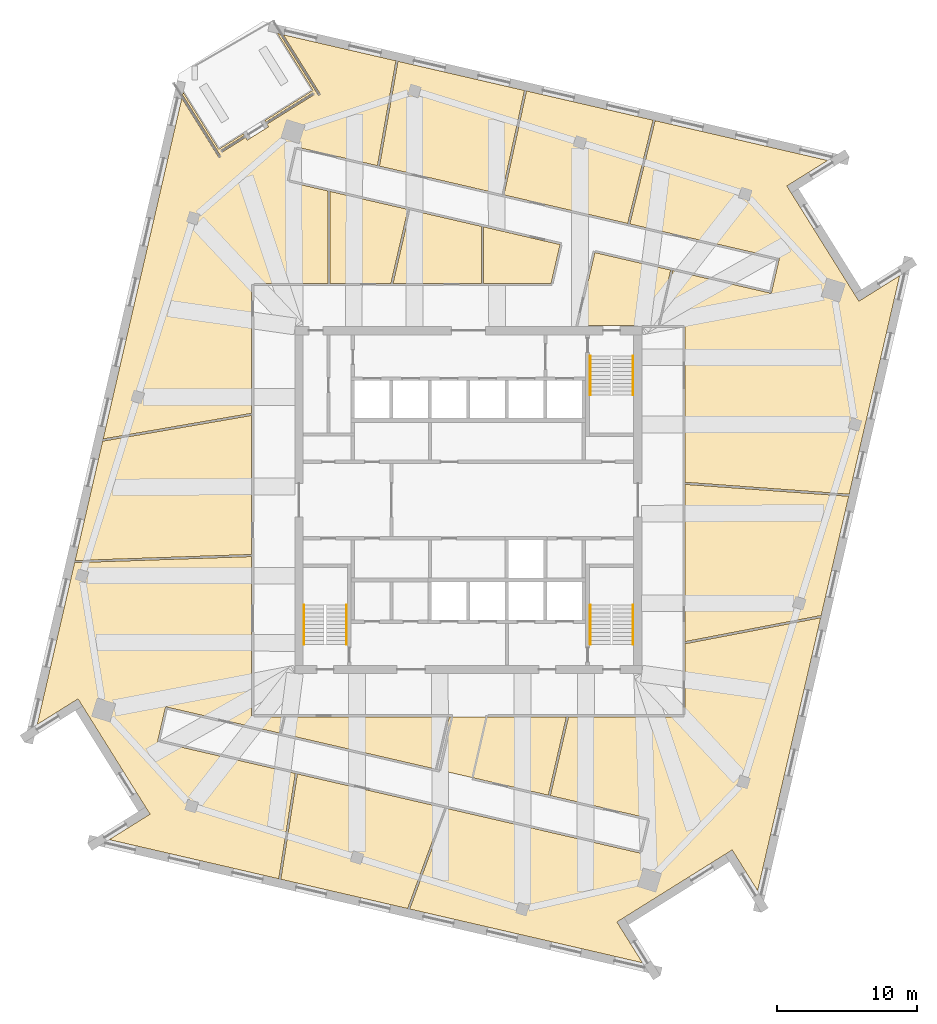
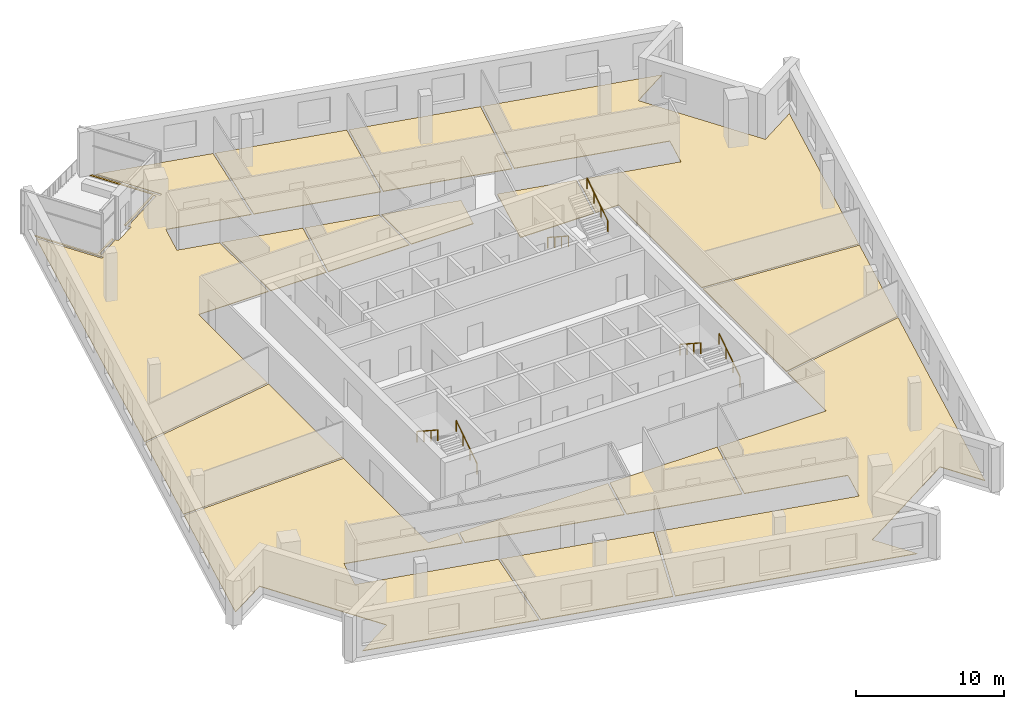
# One storey, part 12 of 14: 15 coverings, 6 railings.
"""IFC4 building model written with IfcOpenShell, lengths in metres."""

from ifc_helpers import new_model, si_unit, direction, frame, origin, origin_2d, place, context, subcontext, project, spatial, polyline, circle, outline, extrude, material, layer, layer_set, type_object, element, save


model = new_model("IFC4")

# Units and contexts
model_context = context("Model", 3, precision=1e-05, world=origin(), true_north=direction((0.0, 1.0)))
body_context = subcontext(model_context, "Body", "Model", "MODEL_VIEW")
ifc_project = project(units=[si_unit("LENGTHUNIT", "METRE"), si_unit("AREAUNIT", "SQUARE_METRE"), si_unit("VOLUMEUNIT", "CUBIC_METRE"), si_unit("PLANEANGLEUNIT", "RADIAN"), si_unit("MASSUNIT", "GRAM", prefix="KILO")], contexts=[model_context])

# Site, building, storey
site_placement = place(None, origin())
site = spatial("IfcSite", under=ifc_project, at=site_placement, CompositionType="ELEMENT")
building_placement = place(site_placement, origin())
building = spatial("IfcBuilding", under=site, at=building_placement, Name="Dilmun Exchange Tower", CompositionType="ELEMENT")
storey_placement = place(building_placement, frame((0.0, 0.0, 336.5)))
storey = spatial("IfcBuildingStorey", under=building, at=storey_placement, Name="L80", CompositionType="ELEMENT", Elevation=336.5)

# Coverings
ifc_material_1 = material(Name="Carpet floor finish 50")
ifc_layer_1 = layer(ifc_material_1, 0.050048828125)
ifc_layer_set_1 = layer_set([ifc_layer_1], Name="Carpet floor finish 50")
covering_type_1 = type_object("IfcCoveringType", Name="Carpet floor finish 50", PredefinedType="FLOORING", material=ifc_layer_set_1)
covering_1_placement = place(storey_placement, origin())
element("IfcCovering", 1, at=covering_1_placement, inside=storey, type_object=covering_type_1, Name="Carpet floor finish 50 Garden lounge", PredefinedType="FLOORING", context=body_context, shape_type="SweptSolid", body=[
    extrude(outline(polyline([(-17.828369140625, 25.053955078125), (-16.07958984375, 26.146728515625), (-16.00390625, 26.025390625), (-17.689208984375, 24.972412109375), (-17.689208984375, 24.972412109375), (-17.689453125, 24.97216796875), (-17.689453125, 24.97216796875), (-17.689697265625, 24.971923828125), (-17.689697265625, 24.9716796875), (-17.689697265625, 24.9716796875), (-17.68994140625, 24.971435546875), (-17.68994140625, 24.97119140625), (-17.68994140625, 24.970947265625), (-17.68994140625, 24.970703125), (-17.68994140625, 24.970703125), (-17.68994140625, 24.970458984375), (-17.68994140625, 24.97021484375), (-17.68994140625, 24.969970703125), (-17.689697265625, 24.969970703125), (-17.689697265625, 24.9697265625), (-17.60498046875, 24.833984375), (-17.604736328125, 24.833740234375), (-17.604736328125, 24.833740234375), (-17.6044921875, 24.83349609375), (-17.6044921875, 24.83349609375), (-17.604248046875, 24.833251953125), (-17.60400390625, 24.833251953125), (-17.603759765625, 24.833251953125), (-17.603759765625, 24.8330078125), (-17.603515625, 24.8330078125), (-17.603271484375, 24.8330078125), (-17.60302734375, 24.8330078125), (-17.602783203125, 24.8330078125), (-17.602783203125, 24.8330078125), (-17.6025390625, 24.833251953125), (-17.602294921875, 24.833251953125), (-17.60205078125, 24.83349609375), (-15.9169921875, 25.88623046875), (-15.801513671875, 25.701416015625), (-15.80126953125, 25.701416015625), (-15.80126953125, 25.701171875), (-15.801025390625, 25.700927734375), (-15.80078125, 25.700927734375), (-15.80078125, 25.70068359375), (-15.800537109375, 25.70068359375), (-15.80029296875, 25.70068359375), (-15.80029296875, 25.700439453125), (-15.800048828125, 25.700439453125), (-15.7998046875, 25.700439453125), (-15.799560546875, 25.700439453125), (-15.79931640625, 25.700439453125), (-15.79931640625, 25.70068359375), (-15.799072265625, 25.70068359375), (-15.798828125, 25.70068359375), (-15.798583984375, 25.70068359375), (-14.272216796875, 26.65478515625), (-14.27197265625, 26.65478515625), (-14.271728515625, 26.65478515625), (-14.271728515625, 26.655029296875), (-14.271484375, 26.6552734375), (-14.271484375, 26.655517578125), (-14.271484375, 26.655517578125), (-14.271240234375, 26.65576171875), (-14.271240234375, 26.656005859375), (-14.271240234375, 26.656005859375), (-14.271240234375, 26.65625), (-14.271240234375, 26.656494140625), (-14.271240234375, 26.65673828125), (-14.271240234375, 26.656982421875), (-14.271240234375, 26.656982421875), (-14.271484375, 26.6572265625), (-14.271484375, 26.657470703125), (-14.386962890625, 26.84228515625), (-11.005859375, 28.955078125), (-11.005615234375, 28.955322265625), (-11.005615234375, 28.955322265625), (-11.00537109375, 28.95556640625), (-11.00537109375, 28.955810546875), (-11.005126953125, 28.955810546875), (-11.005126953125, 28.9560546875), (-11.0048828125, 28.956298828125), (-11.0048828125, 28.956298828125), (-11.0048828125, 28.95654296875), (-11.0048828125, 28.956787109375), (-11.0048828125, 28.95703125), (-11.0048828125, 28.957275390625), (-11.0048828125, 28.95751953125), (-11.0048828125, 28.95751953125), (-11.005126953125, 28.957763671875), (-11.005126953125, 28.9580078125), (-11.090087890625, 29.093505859375), (-11.090087890625, 29.09375), (-11.090087890625, 29.093994140625), (-11.09033203125, 29.093994140625), (-11.090576171875, 29.09423828125), (-11.0908203125, 29.09423828125), (-11.0908203125, 29.094482421875), (-11.091064453125, 29.094482421875), (-11.09130859375, 29.094482421875), (-11.09130859375, 29.094482421875), (-11.091552734375, 29.094482421875), (-11.091796875, 29.094482421875), (-11.092041015625, 29.094482421875), (-11.09228515625, 29.094482421875), (-11.09228515625, 29.094482421875), (-11.092529296875, 29.09423828125), (-11.0927734375, 29.09423828125), (-14.47412109375, 26.9814453125), (-14.5498046875, 27.102783203125), (-11.10498046875, 29.255126953125), (-13.64599609375, 33.32177734375), (-13.448974609375, 33.276123046875), (-10.705322265625, 28.8857421875), (-10.705322265625, 28.885498046875), (-10.705078125, 28.885498046875), (-10.705078125, 28.88525390625), (-10.704833984375, 28.88525390625), (-10.70458984375, 28.885009765625), (-10.70458984375, 28.885009765625), (-10.704345703125, 28.885009765625), (-10.7041015625, 28.885009765625), (-10.7041015625, 28.884765625), (-10.703857421875, 28.884765625), (-10.70361328125, 28.884765625), (-10.703369140625, 28.884765625), (-10.703125, 28.885009765625), (-10.702880859375, 28.885009765625), (-10.702880859375, 28.885009765625), (-10.70263671875, 28.885009765625), (-10.56689453125, 28.969970703125), (-10.56689453125, 28.969970703125), (-10.566650390625, 28.97021484375), (-10.56640625, 28.97021484375), (-10.56640625, 28.970458984375), (-10.56640625, 28.970703125), (-10.566162109375, 28.970703125), (-10.566162109375, 28.970947265625), (-10.566162109375, 28.97119140625), (-10.566162109375, 28.97119140625), (-10.566162109375, 28.971435546875), (-10.566162109375, 28.9716796875), (-10.566162109375, 28.971923828125), (-10.566162109375, 28.97216796875), (-10.566162109375, 28.972412109375), (-10.56640625, 28.972412109375), (-10.56640625, 28.97265625), (-13.222900390625, 33.22412109375), (-5.1787109375, 31.366943359375), (-6.4990234375, 23.875244140625), (-12.391357421875, 25.235595703125), (-12.96484375, 22.7509765625), (-10.03466796875, 22.074462890625), (-10.03466796875, 15.47509765625), (-15.47509765625, 15.47509765625), (-15.47509765625, 6.197021484375), (-26.0849609375, 4.36376953125), (-20.467041015625, 28.697509765625), (-17.810546875, 24.446044921875), (-17.810302734375, 24.44580078125), (-17.810302734375, 24.44580078125), (-17.810302734375, 24.445556640625), (-17.81005859375, 24.445556640625), (-17.809814453125, 24.4453125), (-17.809814453125, 24.4453125), (-17.8095703125, 24.4453125), (-17.809326171875, 24.4453125), (-17.80908203125, 24.445068359375), (-17.808837890625, 24.445068359375), (-17.80859375, 24.445068359375), (-17.80859375, 24.445068359375), (-17.808349609375, 24.4453125), (-17.80810546875, 24.4453125), (-17.80810546875, 24.4453125), (-17.807861328125, 24.4453125), (-17.672119140625, 24.5302734375), (-17.671875, 24.5302734375), (-17.671875, 24.530517578125), (-17.671630859375, 24.530517578125), (-17.67138671875, 24.53076171875), (-17.67138671875, 24.531005859375), (-17.67138671875, 24.531005859375), (-17.67138671875, 24.53125), (-17.671142578125, 24.531494140625), (-17.671142578125, 24.531494140625), (-17.671142578125, 24.53173828125), (-17.671142578125, 24.531982421875), (-17.671142578125, 24.5322265625), (-17.671142578125, 24.532470703125), (-17.67138671875, 24.53271484375), (-17.67138671875, 24.53271484375), (-17.67138671875, 24.532958984375), (-20.414794921875, 28.92333984375), (-20.369384765625, 29.120361328125), (-17.828369140625, 25.053955078125)])), origin(), (0.0, 0.0, 1.0), 0.050048828125),
])
covering_2_placement = place(storey_placement, origin())
element("IfcCovering", 2, at=covering_2_placement, inside=storey, type_object=covering_type_1, Name="Carpet floor finish 50 Headquarters office 1", PredefinedType="FLOORING", context=body_context, shape_type="SweptSolid", body=[
    extrude(outline(polyline([(-12.215576171875, -19.5546875), (-1.699951171875, -21.982421875), (-4.341796875, -29.1689453125), (-13.39794921875, -27.078125), (-12.215576171875, -19.5546875)])), origin(), (0.0, 0.0, 1.0), 0.050048828125),
])
covering_3_placement = place(storey_placement, origin())
element("IfcCovering", 3, at=covering_3_placement, inside=storey, type_object=covering_type_1, Name="Carpet floor finish 50 Prayer room", PredefinedType="FLOORING", context=body_context, shape_type="SweptSolid", body=[
    extrude(outline(polyline([(-5.537841796875, 15.47509765625), (-9.884765625, 15.47509765625), (-9.884765625, 22.039794921875), (-4.319091796875, 20.7548828125), (-5.537841796875, 15.47509765625)])), origin(), (0.0, 0.0, 1.0), 0.050048828125),
])
covering_4_placement = place(storey_placement, origin())
element("IfcCovering", 4, at=covering_4_placement, inside=storey, type_object=covering_type_1, Name="Carpet floor finish 50 Executive office", PredefinedType="FLOORING", context=body_context, shape_type="SweptSolid", body=[
    extrude(outline(polyline([(-13.335205078125, -16.67919921875), (-13.05712890625, -15.47509765625), (-1.514404296875, -15.47509765625), (-2.37646484375, -19.208984375), (-13.335205078125, -16.67919921875)])), origin(), (0.0, 0.0, 1.0), 0.050048828125),
])
covering_5_placement = place(storey_placement, origin())
element("IfcCovering", 5, at=covering_5_placement, inside=storey, type_object=covering_type_1, Name="Carpet floor finish 50 Break-out lounge 1", PredefinedType="FLOORING", context=body_context, shape_type="SweptSolid", body=[
    extrude(outline(polyline([(0.91552734375, 15.47509765625), (-5.384033203125, 15.47509765625), (-4.1728515625, 20.72119140625), (0.91552734375, 19.54638671875), (0.91552734375, 15.47509765625)])), origin(), (0.0, 0.0, 1.0), 0.050048828125),
])
covering_6_placement = place(storey_placement, origin())
element("IfcCovering", 6, at=covering_6_placement, inside=storey, type_object=covering_type_1, Name="Carpet floor finish 50 Break-out lounge 2", PredefinedType="FLOORING", context=body_context, shape_type="SweptSolid", body=[
    extrude(outline(polyline([(-2.23046875, -19.242919921875), (-1.360595703125, -15.47509765625), (6.99560546875, -15.47509765625), (5.702880859375, -21.074462890625), (-2.23046875, -19.242919921875)])), origin(), (0.0, 0.0, 1.0), 0.050048828125),
])
covering_7_placement = place(storey_placement, origin())
element("IfcCovering", 7, at=covering_7_placement, inside=storey, type_object=covering_type_1, Name="Carpet floor finish 50 Headquarters office 2", PredefinedType="FLOORING", context=body_context, shape_type="SweptSolid", body=[
    extrude(outline(polyline([(-1.552490234375, -22.016357421875), (12.391357421875, -25.235595703125), (12.96484375, -22.7509765625), (5.84912109375, -21.108154296875), (7.149658203125, -15.47509765625), (15.47509765625, -15.47509765625), (15.47509765625, -10.25927734375), (25.15283203125, -8.40087890625), (20.65185546875, -27.89697265625), (18.8330078125, -24.986328125), (18.8330078125, -24.986083984375), (18.8330078125, -24.986083984375), (18.832763671875, -24.98583984375), (18.83251953125, -24.985595703125), (18.83251953125, -24.985595703125), (18.832275390625, -24.985595703125), (18.83203125, -24.9853515625), (18.831787109375, -24.9853515625), (18.831787109375, -24.9853515625), (18.83154296875, -24.9853515625), (18.831298828125, -24.9853515625), (18.8310546875, -24.9853515625), (18.830810546875, -24.9853515625), (18.830810546875, -24.985595703125), (18.83056640625, -24.985595703125), (18.830322265625, -24.985595703125), (18.32177734375, -25.303466796875), (18.321533203125, -25.303466796875), (18.321533203125, -25.3037109375), (11.113525390625, -29.8076171875), (11.11328125, -29.8076171875), (11.11328125, -29.8076171875), (11.113037109375, -29.807861328125), (10.604248046875, -30.125732421875), (10.60400390625, -30.1259765625), (10.60400390625, -30.1259765625), (10.603759765625, -30.126220703125), (10.603759765625, -30.126220703125), (10.603515625, -30.12646484375), (10.603515625, -30.126708984375), (10.603515625, -30.126708984375), (10.603271484375, -30.126953125), (10.603271484375, -30.127197265625), (10.603271484375, -30.12744140625), (10.603271484375, -30.127685546875), (10.603271484375, -30.127685546875), (10.603515625, -30.1279296875), (10.603515625, -30.128173828125), (10.603515625, -30.12841796875), (10.603515625, -30.12841796875), (12.42236328125, -33.039306640625), (-4.1943359375, -29.202880859375), (-1.552490234375, -22.016357421875)])), origin(), (0.0, 0.0, 1.0), 0.050048828125),
])
covering_8_placement = place(storey_placement, origin())
element("IfcCovering", 8, at=covering_8_placement, inside=storey, type_object=covering_type_1, Name="Carpet floor finish 50 Headquarters office 3", PredefinedType="FLOORING", context=body_context, shape_type="SweptSolid", body=[
    extrude(outline(polyline([(15.47509765625, 1.26953125), (15.47509765625, 12.47509765625), (13.685791015625, 12.47509765625), (14.589599609375, 16.389404296875), (21.626220703125, 14.764892578125), (22.19970703125, 17.24951171875), (11.518310546875, 19.715576171875), (13.32958984375, 27.093994140625), (25.648681640625, 24.25), (22.738037109375, 22.430908203125), (22.73779296875, 22.430908203125), (22.73779296875, 22.430908203125), (22.737548828125, 22.4306640625), (22.7373046875, 22.430419921875), (22.7373046875, 22.430419921875), (22.7373046875, 22.43017578125), (22.737060546875, 22.429931640625), (22.737060546875, 22.4296875), (22.737060546875, 22.4296875), (22.737060546875, 22.429443359375), (22.737060546875, 22.42919921875), (22.737060546875, 22.428955078125), (22.737060546875, 22.4287109375), (22.7373046875, 22.4287109375), (22.7373046875, 22.428466796875), (22.7373046875, 22.42822265625), (23.055419921875, 21.91943359375), (23.055419921875, 21.919189453125), (23.055419921875, 21.919189453125), (27.5595703125, 14.711181640625), (27.559814453125, 14.7109375), (27.559814453125, 14.710693359375), (27.877685546875, 14.2021484375), (27.877685546875, 14.2021484375), (27.877685546875, 14.201904296875), (27.8779296875, 14.201904296875), (27.878173828125, 14.20166015625), (27.87841796875, 14.201416015625), (27.87841796875, 14.201416015625), (27.878662109375, 14.201416015625), (27.87890625, 14.201416015625), (27.87890625, 14.201416015625), (27.879150390625, 14.201416015625), (27.87939453125, 14.201416015625), (27.879638671875, 14.201416015625), (27.8798828125, 14.201416015625), (27.8798828125, 14.201416015625), (27.880126953125, 14.201416015625), (27.88037109375, 14.20166015625), (30.791015625, 16.020263671875), (27.189208984375, 0.418701171875), (15.47509765625, 1.26953125)])), origin(), (0.0, 0.0, 1.0), 0.050048828125),
])
ifc_material_2 = material(Name="Rubber floor finish 50")
ifc_layer_2 = layer(ifc_material_2, 0.050048828125)
ifc_layer_set_2 = layer_set([ifc_layer_2], Name="Rubber floor finish 50")
covering_type_2 = type_object("IfcCoveringType", Name="Rubber floor finish 50", PredefinedType="FLOORING", material=ifc_layer_set_2)
covering_9_placement = place(storey_placement, origin())
element("IfcCovering", 9, at=covering_9_placement, inside=storey, type_object=covering_type_2, Name="Rubber floor finish 50 Fitness room 1", PredefinedType="FLOORING", context=body_context, shape_type="SweptSolid", body=[
    extrude(outline(polyline([(-15.47509765625, 6.044921875), (-15.47509765625, -3.885498046875), (-28.089599609375, -4.31884765625), (-26.12158203125, 4.205322265625), (-15.47509765625, 6.044921875)])), origin(), (0.0, 0.0, 1.0), 0.050048828125),
])
covering_10_placement = place(storey_placement, origin())
element("IfcCovering", 10, at=covering_10_placement, inside=storey, type_object=covering_type_2, Name="Rubber floor finish 50 Fitness room 2", PredefinedType="FLOORING", context=body_context, shape_type="SweptSolid", body=[
    extrude(outline(polyline([(2.388671875, 21.8232421875), (-6.352783203125, 23.841552734375), (-5.0322265625, 31.3330078125), (3.9990234375, 29.248046875), (2.388671875, 21.8232421875)])), origin(), (0.0, 0.0, 1.0), 0.050048828125),
])
covering_11_placement = place(storey_placement, origin())
element("IfcCovering", 11, at=covering_11_placement, inside=storey, type_object=covering_type_2, Name="Rubber floor finish 50 Fitness room 3", PredefinedType="FLOORING", context=body_context, shape_type="SweptSolid", body=[
    extrude(outline(polyline([(15.47509765625, -10.1064453125), (15.47509765625, 1.119140625), (27.15478515625, 0.27099609375), (25.189697265625, -8.2412109375), (15.47509765625, -10.1064453125)])), origin(), (0.0, 0.0, 1.0), 0.050048828125),
])

# Railings
ifc_material_3 = material(Name="Stainless steel", Category="steel")
railing_type = type_object("IfcRailingType", Name="Stair handrail 900", PredefinedType="HANDRAIL", material=ifc_material_3)
railing_1_placement = place(storey_placement, frame((8.699951171875, 10.300048828125, 0.181884765625)))
element("IfcRailing", 12, at=railing_1_placement, inside=storey, type_object=railing_type, Name="L80 ST1 stair handrail 1", PredefinedType="HANDRAIL", context=body_context, shape_type="SweptSolid", body=[
    extrude(circle(Radius=0.02392578125, at=origin_2d()), frame((0.0, 0.0, 0.8759765625), z_axis=(0.0, -0.838705829183, 0.544584733623), x_axis=(1.0, 0.0, 0.0)), (0.0, 0.0, 1.0), 3.338623046875),
    extrude(circle(Radius=0.02099609375, at=origin_2d()), origin(), (0.0, 0.0, 1.0), 0.851806640625),
    extrude(circle(Radius=0.02099609375, at=origin_2d()), frame((0.0, -0.933349609375, 0.60595703125)), (0.0, 0.0, 1.0), 0.851806640625),
    extrude(circle(Radius=0.02099609375, at=origin_2d()), frame((0.0, -1.86669921875, 1.212158203125)), (0.0, 0.0, 1.0), 0.851806640625),
    extrude(circle(Radius=0.02099609375, at=origin_2d()), frame((0.0, -2.800048828125, 1.818115234375)), (0.0, 0.0, 1.0), 0.851806640625),
])
for number, where, name in (
    (13, (11.75, 7.5, 2.181884765625), "L80 ST1 stair handrail 2"),
    (14, (-8.699951171875, -10.300048828125, 0.181884765625), "L80 ST2 stair handrail 1"),
):
    element("IfcRailing", number, at=place(storey_placement, frame(where)), inside=storey, type_object=railing_type, Name=name, PredefinedType="HANDRAIL", context=body_context, shape_type="SweptSolid", body=[
        extrude(circle(Radius=0.02392578125, at=origin_2d()), frame((0.0, 0.0, 0.8759765625), z_axis=(0.0, 0.838705829183, 0.544584733623), x_axis=(-1.0, 0.0, 0.0)), (0.0, 0.0, 1.0), 3.338623046875),
        extrude(circle(Radius=0.02099609375, at=origin_2d()), origin(), (0.0, 0.0, 1.0), 0.851806640625),
        extrude(circle(Radius=0.02099609375, at=origin_2d()), frame((0.0, 0.933349609375, 0.60595703125)), (0.0, 0.0, 1.0), 0.851806640625),
        extrude(circle(Radius=0.02099609375, at=origin_2d()), frame((0.0, 1.86669921875, 1.212158203125)), (0.0, 0.0, 1.0), 0.851806640625),
        extrude(circle(Radius=0.02099609375, at=origin_2d()), frame((0.0, 2.800048828125, 1.818115234375)), (0.0, 0.0, 1.0), 0.851806640625),
    ])
railing_2_placement = place(storey_placement, frame((-11.75, -7.5, 2.181884765625)))
element("IfcRailing", 15, at=railing_2_placement, inside=storey, type_object=railing_type, Name="L80 ST2 stair handrail 2", PredefinedType="HANDRAIL", context=body_context, shape_type="SweptSolid", body=[
    extrude(circle(Radius=0.02392578125, at=origin_2d()), frame((0.0, 0.0, 0.8759765625), z_axis=(0.0, -0.838705829183, 0.544584733623), x_axis=(1.0, 0.0, 0.0)), (0.0, 0.0, 1.0), 3.338623046875),
    extrude(circle(Radius=0.02099609375, at=origin_2d()), origin(), (0.0, 0.0, 1.0), 0.851806640625),
    extrude(circle(Radius=0.02099609375, at=origin_2d()), frame((0.0, -0.933349609375, 0.60595703125)), (0.0, 0.0, 1.0), 0.851806640625),
    extrude(circle(Radius=0.02099609375, at=origin_2d()), frame((0.0, -1.86669921875, 1.212158203125)), (0.0, 0.0, 1.0), 0.851806640625),
    extrude(circle(Radius=0.02099609375, at=origin_2d()), frame((0.0, -2.800048828125, 1.818115234375)), (0.0, 0.0, 1.0), 0.851806640625),
])
railing_3_placement = place(storey_placement, frame((11.75, -10.300048828125, 0.181884765625)))
element("IfcRailing", 16, at=railing_3_placement, inside=storey, type_object=railing_type, Name="L80 ST3 stair handrail 1", PredefinedType="HANDRAIL", context=body_context, shape_type="SweptSolid", body=[
    extrude(circle(Radius=0.02392578125, at=origin_2d()), frame((0.0, 0.0, 0.8759765625), z_axis=(0.0, 0.838705829183, 0.544584733623), x_axis=(-1.0, 0.0, 0.0)), (0.0, 0.0, 1.0), 3.338623046875),
    extrude(circle(Radius=0.02099609375, at=origin_2d()), origin(), (0.0, 0.0, 1.0), 0.851806640625),
    extrude(circle(Radius=0.02099609375, at=origin_2d()), frame((0.0, 0.933349609375, 0.60595703125)), (0.0, 0.0, 1.0), 0.851806640625),
    extrude(circle(Radius=0.02099609375, at=origin_2d()), frame((0.0, 1.86669921875, 1.212158203125)), (0.0, 0.0, 1.0), 0.851806640625),
    extrude(circle(Radius=0.02099609375, at=origin_2d()), frame((0.0, 2.800048828125, 1.818115234375)), (0.0, 0.0, 1.0), 0.851806640625),
])
railing_4_placement = place(storey_placement, frame((8.699951171875, -7.5, 2.181884765625)))
element("IfcRailing", 17, at=railing_4_placement, inside=storey, type_object=railing_type, Name="L80 ST3 stair handrail 2", PredefinedType="HANDRAIL", context=body_context, shape_type="SweptSolid", body=[
    extrude(circle(Radius=0.02392578125, at=origin_2d()), frame((0.0, 0.0, 0.8759765625), z_axis=(0.0, -0.838705829183, 0.544584733623), x_axis=(1.0, 0.0, 0.0)), (0.0, 0.0, 1.0), 3.338623046875),
    extrude(circle(Radius=0.02099609375, at=origin_2d()), origin(), (0.0, 0.0, 1.0), 0.851806640625),
    extrude(circle(Radius=0.02099609375, at=origin_2d()), frame((0.0, -0.933349609375, 0.60595703125)), (0.0, 0.0, 1.0), 0.851806640625),
    extrude(circle(Radius=0.02099609375, at=origin_2d()), frame((0.0, -1.86669921875, 1.212158203125)), (0.0, 0.0, 1.0), 0.851806640625),
    extrude(circle(Radius=0.02099609375, at=origin_2d()), frame((0.0, -2.800048828125, 1.818115234375)), (0.0, 0.0, 1.0), 0.851806640625),
])

# Coverings
ifc_material_4 = material(Name="Stone floor finish 50", Category="masonry")
ifc_layer_3 = layer(ifc_material_4, 0.050048828125)
ifc_layer_set_3 = layer_set([ifc_layer_3], Name="Stone floor finish 50")
covering_type_3 = type_object("IfcCoveringType", Name="Stone floor finish 50", PredefinedType="FLOORING", material=ifc_layer_set_3)
covering_12_placement = place(storey_placement, origin())
element("IfcCovering", 18, at=covering_12_placement, inside=storey, type_object=covering_type_3, Name="Stone floor finish 50 Reception 1", PredefinedType="FLOORING", context=body_context, shape_type="SweptSolid", body=[
    extrude(outline(polyline([(5.900390625, 15.47509765625), (1.0654296875, 15.47509765625), (1.0654296875, 19.51171875), (6.54052734375, 18.247802734375), (5.900390625, 15.47509765625)])), origin(), (0.0, 0.0, 1.0), 0.050048828125),
])
covering_13_placement = place(storey_placement, origin())
element("IfcCovering", 19, at=covering_13_placement, inside=storey, type_object=covering_type_3, Name="Stone floor finish 50 Reception 2", PredefinedType="FLOORING", context=body_context, shape_type="SweptSolid", body=[
    extrude(outline(polyline([(2.534912109375, 21.78955078125), (4.145263671875, 29.21435546875), (13.18359375, 27.127685546875), (11.3720703125, 19.74951171875), (2.534912109375, 21.78955078125)])), origin(), (0.0, 0.0, 1.0), 0.050048828125),
])
ifc_material_5 = material(Name="Tile floor finish 50")
ifc_layer_4 = layer(ifc_material_5, 0.050048828125)
ifc_layer_set_4 = layer_set([ifc_layer_4], Name="Tile floor finish 50")
covering_type_4 = type_object("IfcCoveringType", Name="Tile floor finish 50", PredefinedType="FLOORING", material=ifc_layer_set_4)
covering_14_placement = place(storey_placement, origin())
element("IfcCovering", 20, at=covering_14_placement, inside=storey, type_object=covering_type_4, Name="Tile floor finish 50 Staff restaurant", PredefinedType="FLOORING", context=body_context, shape_type="SweptSolid", body=[
    extrude(outline(polyline([(-12.362060546875, -19.520751953125), (-13.544677734375, -27.044189453125), (-25.648681640625, -24.25), (-22.738037109375, -22.430908203125), (-22.73779296875, -22.430908203125), (-22.73779296875, -22.430908203125), (-22.737548828125, -22.4306640625), (-22.7373046875, -22.430419921875), (-22.7373046875, -22.430419921875), (-22.7373046875, -22.43017578125), (-22.737060546875, -22.429931640625), (-22.737060546875, -22.4296875), (-22.737060546875, -22.4296875), (-22.737060546875, -22.429443359375), (-22.737060546875, -22.42919921875), (-22.737060546875, -22.428955078125), (-22.737060546875, -22.4287109375), (-22.7373046875, -22.4287109375), (-22.7373046875, -22.428466796875), (-22.7373046875, -22.42822265625), (-23.055419921875, -21.91943359375), (-23.055419921875, -21.919189453125), (-23.055419921875, -21.919189453125), (-27.5595703125, -14.711181640625), (-27.559814453125, -14.7109375), (-27.559814453125, -14.710693359375), (-27.877685546875, -14.2021484375), (-27.877685546875, -14.2021484375), (-27.877685546875, -14.201904296875), (-27.8779296875, -14.201904296875), (-27.878173828125, -14.20166015625), (-27.87841796875, -14.201416015625), (-27.87841796875, -14.201416015625), (-27.878662109375, -14.201416015625), (-27.87890625, -14.201416015625), (-27.87890625, -14.201416015625), (-27.879150390625, -14.201416015625), (-27.87939453125, -14.201416015625), (-27.879638671875, -14.201416015625), (-27.8798828125, -14.201416015625), (-27.8798828125, -14.201416015625), (-27.880126953125, -14.201416015625), (-27.88037109375, -14.20166015625), (-30.791015625, -16.020263671875), (-28.12451171875, -4.47021484375), (-15.47509765625, -4.035400390625), (-15.47509765625, -15.47509765625), (-13.211181640625, -15.47509765625), (-13.481201171875, -16.6455078125), (-21.626220703125, -14.764892578125), (-22.19970703125, -17.24951171875), (-12.362060546875, -19.520751953125)])), origin(), (0.0, 0.0, 1.0), 0.050048828125),
])
covering_15_placement = place(storey_placement, origin())
element("IfcCovering", 21, at=covering_15_placement, inside=storey, type_object=covering_type_4, Name="Tile floor finish 50 Pantry", PredefinedType="FLOORING", context=body_context, shape_type="SweptSolid", body=[
    extrude(outline(polyline([(14.443603515625, 16.423095703125), (13.531982421875, 12.47509765625), (7.82470703125, 12.47509765625), (9.025146484375, 17.674072265625), (14.443603515625, 16.423095703125)])), origin(), (0.0, 0.0, 1.0), 0.050048828125),
])

save(model, "model.ifc")
